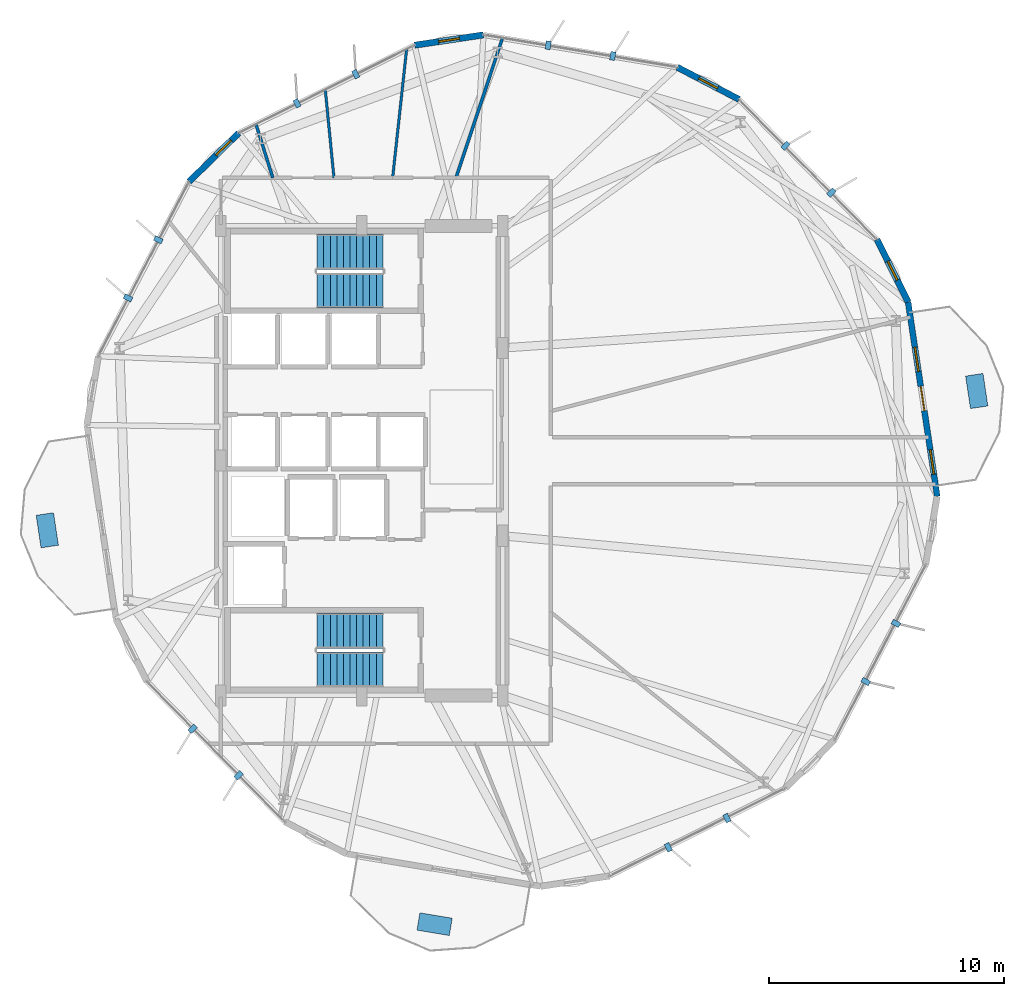
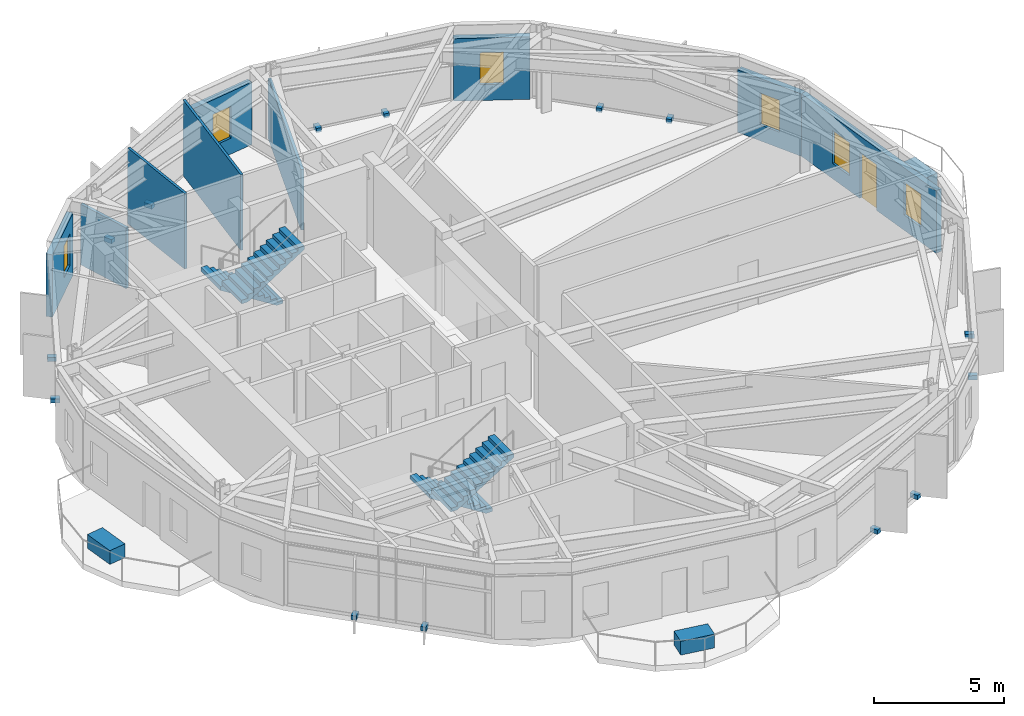
# One storey, part 19 of 22: 17 discrete accessories, 9 walls, 6 windows, 4 stair flights, 1 door, 7 openings, 2 elements without a shape of their own.
"""IFC4 building model written with IfcOpenShell, lengths in metres."""

from ifc_helpers import new_model, si_unit, direction, frame, frame_2d, origin, origin_2d, place, context, subcontext, project, spatial, polyline, rectangle, outline, extrude, material, layer, layer_set, type_object, element, fill, aggregate, save


model = new_model("IFC4")

# Units and contexts
model_context = context("Model", 3, precision=1e-05, world=origin(), true_north=direction((0.0, 1.0)))
body_context = subcontext(model_context, "Body", "Model", "MODEL_VIEW")
ifc_project = project(units=[si_unit("LENGTHUNIT", "METRE"), si_unit("AREAUNIT", "SQUARE_METRE"), si_unit("VOLUMEUNIT", "CUBIC_METRE"), si_unit("PLANEANGLEUNIT", "RADIAN"), si_unit("MASSUNIT", "GRAM", prefix="KILO")], contexts=[model_context])

# Site, building, storey
site_placement = place(None, origin())
site = spatial("IfcSite", under=ifc_project, at=site_placement, CompositionType="ELEMENT")
building_placement = place(site_placement, origin())
building = spatial("IfcBuilding", under=site, at=building_placement, Name="Soratama Intermodal Tower", CompositionType="ELEMENT")
storey_placement = place(building_placement, frame((0.0, 0.0, 130.300048828125)))
storey = spatial("IfcBuildingStorey", under=building, at=storey_placement, Name="L31", CompositionType="ELEMENT", Elevation=130.300048828125)

# Wall, openings, door, windows
ifc_material_1 = material(Name="Concrete f'c 42 MPa", Category="concrete")
ifc_layer_1 = layer(ifc_material_1, 0.25)
ifc_layer_set_1 = layer_set([ifc_layer_1], Name="Concrete f'c 42 MPa")
wall_type_1 = type_object("IfcWallType", Name="EW-BAL-250", PredefinedType="SOLIDWALL", material=ifc_layer_set_1)
wall_1_placement = place(storey_placement, frame((63.114990234375, 23.47900390625, 0.0), z_axis=(0.0, 0.0, 1.0), x_axis=(-0.148183669797, 0.988959857631, 0.0)))
wall_1 = element("IfcWall", 1, at=wall_1_placement, inside=storey, type_object=wall_type_1, Name="L31 Terrace Wall F10", PredefinedType="SOLIDWALL", context=body_context, shape_type="SweptSolid", body=[
    extrude(rectangle(XDim=8.376220703125, YDim=0.25, at=frame_2d((4.18798828125, 0.0))), origin(), (0.0, 0.0, 1.0), 2.93896484375),
])
opening_1_placement = place(wall_1_placement, frame((3.68798828125, 0.0, 0.0)))
opening_1 = element("IfcOpeningElement", 2, at=opening_1_placement, cuts=wall_1, Name="Opening ED-5", PredefinedType="OPENING", context=body_context, shape_type="SweptSolid", body=[
    extrude(rectangle(XDim=1.050048828125, YDim=2.14990234375, at=frame_2d((0.52490234375, 1.074951171875))), frame((0.0, 0.135009765625, 0.0), z_axis=(0.0, -1.0, 0.0), x_axis=(1.0, 0.0, 0.0)), (0.0, 0.0, 1.0), 0.27001953125),
])
opening_2_placement = place(wall_1_placement, frame((0.95947265625, 0.0, 0.719970703125)))
opening_2 = element("IfcOpeningElement", 3, at=opening_2_placement, cuts=wall_1, Name="Opening WN-5", PredefinedType="OPENING", context=body_context, shape_type="SweptSolid", body=[
    extrude(rectangle(XDim=1.050048828125, YDim=1.550048828125, at=frame_2d((0.52490234375, 0.77490234375))), frame((0.0, 0.135009765625, 0.0), z_axis=(0.0, -1.0, 0.0), x_axis=(1.0, 0.0, 0.0)), (0.0, 0.0, 1.0), 0.27001953125),
])
opening_3_placement = place(wall_1_placement, frame((5.378173828125, 0.0, 0.719970703125)))
opening_3 = element("IfcOpeningElement", 4, at=opening_3_placement, cuts=wall_1, Name="Opening WN-5", PredefinedType="OPENING", context=body_context, shape_type="SweptSolid", body=[
    extrude(rectangle(XDim=1.050048828125, YDim=1.550048828125, at=frame_2d((0.52490234375, 0.77490234375))), frame((0.0, 0.135009765625, 0.0), z_axis=(0.0, -1.0, 0.0), x_axis=(1.0, 0.0, 0.0)), (0.0, 0.0, 1.0), 0.27001953125),
])
ifc_material_2 = material(Name="Double-glazed aluminium door", Category="aluminium")
door_type = type_object("IfcDoorType", Name="DR-BAL-1050", OperationType="NOTDEFINED", PredefinedType="DOOR", material=ifc_material_2)
door_placement = place(opening_1_placement, origin())
door = element("IfcDoor", 5, at=door_placement, inside=storey, type_object=door_type, Name="L31 Balcony Door F10", OperationType="SINGLE_SWING_RIGHT", OverallHeight=2.14990234375, OverallWidth=1.050048828125, PredefinedType="DOOR", context=body_context, shape_type="SweptSolid", body=[
    extrude(rectangle(XDim=1.050048828125, YDim=2.14990234375, at=frame_2d((0.52490234375, 1.074951171875))), frame((0.0, 0.02490234375, 0.0), z_axis=(0.0, -1.0, 0.0), x_axis=(1.0, 0.0, 0.0)), (0.0, 0.0, 1.0), 0.050048828125),
])
fill(opening_1, door)
ifc_material_3 = material(Name="Double-glazed aluminium window", Category="aluminium")
window_type_1 = type_object("IfcWindowType", Name="WN-FAC-1050", PartitioningType="SINGLE_PANEL", PredefinedType="WINDOW", material=ifc_material_3)
window_1_placement = place(opening_2_placement, origin())
window_1 = element("IfcWindow", 6, at=window_1_placement, inside=storey, type_object=window_type_1, Name="L31 Window A F10", OverallHeight=1.550048828125, OverallWidth=1.050048828125, PartitioningType="SINGLE_PANEL", PredefinedType="WINDOW", context=body_context, shape_type="SweptSolid", body=[
    extrude(rectangle(XDim=1.050048828125, YDim=1.550048828125, at=frame_2d((0.52490234375, 0.77490234375))), frame((0.0, 0.030029296875, 0.0), z_axis=(0.0, -1.0, 0.0), x_axis=(1.0, 0.0, 0.0)), (0.0, 0.0, 1.0), 0.06005859375),
])
fill(opening_2, window_1)
window_2_placement = place(opening_3_placement, origin())
window_2 = element("IfcWindow", 7, at=window_2_placement, inside=storey, type_object=window_type_1, Name="L31 Window B F10", OverallHeight=1.550048828125, OverallWidth=1.050048828125, PartitioningType="SINGLE_PANEL", PredefinedType="WINDOW", context=body_context, shape_type="SweptSolid", body=[
    extrude(rectangle(XDim=1.050048828125, YDim=1.550048828125, at=frame_2d((0.52490234375, 0.77490234375))), frame((0.0, 0.030029296875, 0.0), z_axis=(0.0, -1.0, 0.0), x_axis=(1.0, 0.0, 0.0)), (0.0, 0.0, 1.0), 0.06005859375),
])
fill(opening_3, window_2)

# Wall, opening, window
ifc_material_4 = material(Name="Concrete f'c 42 MPa", Category="concrete")
ifc_layer_2 = layer(ifc_material_4, 0.27001953125)
ifc_layer_set_2 = layer_set([ifc_layer_2], Name="Concrete f'c 42 MPa")
wall_type_2 = type_object("IfcWallType", Name="EW-CRN-270", PredefinedType="SOLIDWALL", material=ifc_layer_set_2)
wall_2_placement = place(storey_placement, frame((54.67626953125, 40.389404296875, 0.0), z_axis=(0.0, 0.0, 1.0), x_axis=(-0.887169636056, 0.461443427585, 0.0)))
wall_2 = element("IfcWall", 8, at=wall_2_placement, inside=storey, type_object=wall_type_2, Name="L31 Corner Closure Wall 01", PredefinedType="SOLIDWALL", context=body_context, shape_type="SweptSolid", body=[
    extrude(rectangle(XDim=2.966552734375, YDim=0.27001953125, at=frame_2d((1.4833984375, 0.0))), origin(), (0.0, 0.0, 1.0), 2.93896484375),
])
opening_4_placement = place(wall_2_placement, frame((1.033203125, 0.0, 0.75)))
opening_4 = element("IfcOpeningElement", 9, at=opening_4_placement, cuts=wall_2, Name="Opening WN-6", PredefinedType="OPENING", context=body_context, shape_type="SweptSolid", body=[
    extrude(rectangle(XDim=0.89990234375, YDim=1.5, at=frame_2d((0.449951171875, 0.75))), frame((0.0, 0.14501953125, 0.0), z_axis=(0.0, -1.0, 0.0), x_axis=(1.0, 0.0, 0.0)), (0.0, 0.0, 1.0), 0.2900390625),
])
ifc_material_5 = material(Name="Double-glazed aluminium window", Category="aluminium")
window_type_2 = type_object("IfcWindowType", Name="WN-FAC-900", PartitioningType="SINGLE_PANEL", PredefinedType="WINDOW", material=ifc_material_5)
window_3_placement = place(opening_4_placement, origin())
window_3 = element("IfcWindow", 10, at=window_3_placement, inside=storey, type_object=window_type_2, Name="L31 Corner Window 01", OverallHeight=1.5, OverallWidth=0.89990234375, PartitioningType="SINGLE_PANEL", PredefinedType="WINDOW", context=body_context, shape_type="SweptSolid", body=[
    extrude(rectangle(XDim=0.89990234375, YDim=1.5, at=frame_2d((0.449951171875, 0.75))), frame((0.0, 0.030029296875, 0.0), z_axis=(0.0, -1.0, 0.0), x_axis=(1.0, 0.0, 0.0)), (0.0, 0.0, 1.0), 0.06005859375),
])
fill(opening_4, window_3)

wall_3_placement = place(storey_placement, frame((43.78271484375, 43.137939453125, 0.0), z_axis=(0.0, 0.0, 1.0), x_axis=(-0.988967117617, -0.148135209429, 0.0)))
wall_3 = element("IfcWall", 11, at=wall_3_placement, inside=storey, type_object=wall_type_2, Name="L31 Corner Closure Wall 02", PredefinedType="SOLIDWALL", context=body_context, shape_type="SweptSolid", body=[
    extrude(rectangle(XDim=2.966552734375, YDim=0.27001953125, at=frame_2d((1.4833984375, 0.0))), origin(), (0.0, 0.0, 1.0), 2.93896484375),
])
opening_5_placement = place(wall_3_placement, frame((1.033203125, 0.0, 0.75)))
opening_5 = element("IfcOpeningElement", 12, at=opening_5_placement, cuts=wall_3, Name="Opening WN-6", PredefinedType="OPENING", context=body_context, shape_type="SweptSolid", body=[
    extrude(rectangle(XDim=0.89990234375, YDim=1.5, at=frame_2d((0.449951171875, 0.75))), frame((0.0, 0.14501953125, 0.0), z_axis=(0.0, -1.0, 0.0), x_axis=(1.0, 0.0, 0.0)), (0.0, 0.0, 1.0), 0.2900390625),
])
window_4_placement = place(opening_5_placement, origin())
window_4 = element("IfcWindow", 13, at=window_4_placement, inside=storey, type_object=window_type_2, Name="L31 Corner Window 02", OverallHeight=1.5, OverallWidth=0.89990234375, PartitioningType="SINGLE_PANEL", PredefinedType="WINDOW", context=body_context, shape_type="SweptSolid", body=[
    extrude(rectangle(XDim=0.89990234375, YDim=1.5, at=frame_2d((0.449951171875, 0.75))), frame((0.0, 0.030029296875, 0.0), z_axis=(0.0, -1.0, 0.0), x_axis=(1.0, 0.0, 0.0)), (0.0, 0.0, 1.0), 0.06005859375),
])
fill(opening_5, window_4)

wall_4_placement = place(storey_placement, frame((33.35400390625, 38.958251953125, 0.0), z_axis=(0.0, 0.0, 1.0), x_axis=(-0.713048365922, -0.701114846409, 0.0)))
wall_4 = element("IfcWall", 14, at=wall_4_placement, inside=storey, type_object=wall_type_2, Name="L31 Corner Closure Wall 03", PredefinedType="SOLIDWALL", context=body_context, shape_type="SweptSolid", body=[
    extrude(rectangle(XDim=2.966552734375, YDim=0.27001953125, at=frame_2d((1.4833984375, 0.0))), origin(), (0.0, 0.0, 1.0), 2.93896484375),
])
opening_6_placement = place(wall_4_placement, frame((0.449951171875, 0.0, 0.75)))
opening_6 = element("IfcOpeningElement", 15, at=opening_6_placement, cuts=wall_4, Name="Opening WN-6", PredefinedType="OPENING", context=body_context, shape_type="SweptSolid", body=[
    extrude(rectangle(XDim=0.89990234375, YDim=1.5, at=frame_2d((0.449951171875, 0.75))), frame((0.0, 0.14501953125, 0.0), z_axis=(0.0, -1.0, 0.0), x_axis=(1.0, 0.0, 0.0)), (0.0, 0.0, 1.0), 0.2900390625),
])
window_5_placement = place(opening_6_placement, origin())
window_5 = element("IfcWindow", 16, at=window_5_placement, inside=storey, type_object=window_type_2, Name="L31 Corner Window 03", OverallHeight=1.5, OverallWidth=0.89990234375, PartitioningType="SINGLE_PANEL", PredefinedType="WINDOW", context=body_context, shape_type="SweptSolid", body=[
    extrude(rectangle(XDim=0.89990234375, YDim=1.5, at=frame_2d((0.449951171875, 0.75))), frame((0.0, 0.030029296875, 0.0), z_axis=(0.0, -1.0, 0.0), x_axis=(1.0, 0.0, 0.0)), (0.0, 0.0, 1.0), 0.06005859375),
])
fill(opening_6, window_5)

wall_5_placement = place(storey_placement, frame((61.873779296875, 31.7626953125, 0.0), z_axis=(0.0, 0.0, 1.0), x_axis=(-0.446489189921, 0.894789027248, 0.0)))
wall_5 = element("IfcWall", 17, at=wall_5_placement, inside=storey, type_object=wall_type_2, Name="L31 Corner Closure Wall 10", PredefinedType="SOLIDWALL", context=body_context, shape_type="SweptSolid", body=[
    extrude(rectangle(XDim=2.96630859375, YDim=0.27001953125, at=frame_2d((1.483154296875, 0.0))), origin(), (0.0, 0.0, 1.0), 2.93896484375),
])
opening_7_placement = place(wall_5_placement, frame((1.033203125, 0.0, 0.75)))
opening_7 = element("IfcOpeningElement", 18, at=opening_7_placement, cuts=wall_5, Name="Opening WN-6", PredefinedType="OPENING", context=body_context, shape_type="SweptSolid", body=[
    extrude(rectangle(XDim=0.89990234375, YDim=1.5, at=frame_2d((0.449951171875, 0.75))), frame((0.0, 0.14501953125, 0.0), z_axis=(0.0, -1.0, 0.0), x_axis=(1.0, 0.0, 0.0)), (0.0, 0.0, 1.0), 0.2900390625),
])
window_6_placement = place(opening_7_placement, origin())
window_6 = element("IfcWindow", 19, at=window_6_placement, inside=storey, type_object=window_type_2, Name="L31 Corner Window 10", OverallHeight=1.5, OverallWidth=0.89990234375, PartitioningType="SINGLE_PANEL", PredefinedType="WINDOW", context=body_context, shape_type="SweptSolid", body=[
    extrude(rectangle(XDim=0.89990234375, YDim=1.5, at=frame_2d((0.449951171875, 0.75))), frame((0.0, 0.030029296875, 0.0), z_axis=(0.0, -1.0, 0.0), x_axis=(1.0, 0.0, 0.0)), (0.0, 0.0, 1.0), 0.06005859375),
])
fill(opening_7, window_6)

# Walls
ifc_material_6 = material(Name="Fire-rated gypsum stud partition", Category="concrete")
ifc_layer_3 = layer(ifc_material_6, 0.110107421875)
ifc_layer_set_3 = layer_set([ifc_layer_3], Name="Fire-rated gypsum stud partition")
wall_type_3 = type_object("IfcWallType", Name="IW-PART-S110", PredefinedType="PARTITIONING", material=ifc_layer_set_3)
wall_6_placement = place(storey_placement, frame((39.9150390625, 37.050048828125, 0.0), z_axis=(0.0, 0.0, 1.0), x_axis=(0.108112469568, 0.994138669364, 0.0)))
element("IfcWall", 20, at=wall_6_placement, inside=storey, type_object=wall_type_3, Name="L31 Partition W-L31-TP011", PredefinedType="PARTITIONING", context=body_context, shape_type="SweptSolid", body=[
    extrude(rectangle(XDim=5.51220703125, YDim=0.110107421875, at=frame_2d((2.756103515625, 0.0))), origin(), (0.0, 0.0, 1.0), 3.56005859375),
])
wall_7_placement = place(storey_placement, frame((37.4150390625, 37.050048828125, 0.0), z_axis=(0.0, 0.0, 1.0), x_axis=(-0.097938751342, 0.995192444196, 0.0)))
element("IfcWall", 21, at=wall_7_placement, inside=storey, type_object=wall_type_3, Name="L31 Partition W-L31-TP016", PredefinedType="PARTITIONING", context=body_context, shape_type="SweptSolid", body=[
    extrude(rectangle(XDim=3.76904296875, YDim=0.110107421875, at=frame_2d((1.884521484375, 0.0))), origin(), (0.0, 0.0, 1.0), 3.56005859375),
])
ifc_material_7 = material(Name="Fire-rated gypsum stud partition", Category="concrete")
ifc_layer_4 = layer(ifc_material_7, 0.1298828125)
ifc_layer_set_4 = layer_set([ifc_layer_4], Name="Fire-rated gypsum stud partition")
wall_type_4 = type_object("IfcWallType", Name="IW-PART-S130", PredefinedType="PARTITIONING", material=ifc_layer_set_4)
wall_8_placement = place(storey_placement, frame((42.614013671875, 37.050048828125, 0.0), z_axis=(0.0, 0.0, 1.0), x_axis=(0.315935866472, 0.948780548007, 0.0)))
element("IfcWall", 22, at=wall_8_placement, inside=storey, type_object=wall_type_4, Name="L31 Partition W-L31-TP009", PredefinedType="PARTITIONING", context=body_context, shape_type="SweptSolid", body=[
    extrude(rectangle(XDim=6.273193359375, YDim=0.1298828125, at=frame_2d((3.13671875, 0.0))), origin(), (0.0, 0.0, 1.0), 2.85498046875),
])
wall_9_placement = place(storey_placement, frame((34.81005859375, 37.050048828125, 0.0), z_axis=(0.0, 0.0, 1.0), x_axis=(-0.300010116479, 0.953936019872, 0.0)))
element("IfcWall", 23, at=wall_9_placement, inside=storey, type_object=wall_type_4, Name="L31 Partition W-L31-TP024", PredefinedType="PARTITIONING", context=body_context, shape_type="SweptSolid", body=[
    extrude(rectangle(XDim=2.38671875, YDim=0.1298828125, at=frame_2d((1.193359375, 0.0))), origin(), (0.0, 0.0, 1.0), 2.85498046875),
])

# Stair, stair flights
ifc_material_8 = material(Name="Concrete f'c 42 MPa", Category="concrete")
stair_type = type_object("IfcStairType", Name="ST-CORE-DOGLEG", PredefinedType="HALF_TURN_STAIR", material=ifc_material_8)
stair_1_placement = place(storey_placement, origin())
stair_1 = element("IfcStair", 24, at=stair_1_placement, inside=storey, type_object=stair_type, Name="L31 ST-1", PredefinedType="HALF_TURN_STAIR")
ifc_material_9 = material(Name="Precast concrete f'c 40 MPa", Category="concrete")
ifc_layer_5 = layer(ifc_material_9, 0.199951171875)
ifc_layer_set_5 = layer_set([ifc_layer_5], Name="Precast concrete f'c 40 MPa")
stair_flight_type = type_object("IfcStairFlightType", Name="SF-FLIGHT-RC", PredefinedType="STRAIGHT", material=ifc_layer_set_5)
stair_flight_1_placement = place(storey_placement, frame((39.5, 17.75, 0.0), z_axis=(0.0, 0.0, 1.0), x_axis=(-1.0, 0.0, 0.0)))
stair_flight_1 = element("IfcStairFlight", 25, at=stair_flight_1_placement, type_object=stair_flight_type, Name="ST-1 flight 1", NumberOfRisers=11, NumberOfTreads=10, PredefinedType="STRAIGHT", RiserHeight=0.177272727, TreadLength=0.28, context=body_context, shape_type="SweptSolid", body=[
    extrude(outline(polyline([(0.0, 0.0), (0.0, 0.17724609375), (0.280029296875, 0.17724609375), (0.280029296875, 0.3544921875), (0.56005859375, 0.3544921875), (0.56005859375, 0.53173828125), (0.840087890625, 0.53173828125), (0.840087890625, 0.708984375), (1.1201171875, 0.708984375), (1.1201171875, 0.886474609375), (1.39990234375, 0.886474609375), (1.39990234375, 1.063720703125), (1.679931640625, 1.063720703125), (1.679931640625, 1.240966796875), (1.9599609375, 1.240966796875), (1.9599609375, 1.418212890625), (2.239990234375, 1.418212890625), (2.239990234375, 1.595458984375), (2.52001953125, 1.595458984375), (2.52001953125, 1.772705078125), (2.800048828125, 1.772705078125), (2.800048828125, 1.949951171875), (2.800048828125, 1.59521484375), (0.2802734375, 0.0), (0.0, 0.0)])), frame((0.0, 0.75, 0.0), z_axis=(0.0, -1.0, 0.0), x_axis=(1.0, 0.0, 0.0)), (0.0, 0.0, 1.0), 1.5),
])
stair_flight_2_placement = place(storey_placement, frame((36.699951171875, 16.10009765625, 1.949951171875), z_axis=(0.0, 0.0, 1.0), x_axis=(1.0, 0.0, 0.0)))
stair_flight_2 = element("IfcStairFlight", 26, at=stair_flight_2_placement, type_object=stair_flight_type, Name="ST-1 flight 2", NumberOfRisers=11, NumberOfTreads=10, PredefinedType="STRAIGHT", RiserHeight=0.177272727, TreadLength=0.28, context=body_context, shape_type="SweptSolid", body=[
    extrude(outline(polyline([(0.0, 0.0), (0.0, 0.17724609375), (0.280029296875, 0.17724609375), (0.280029296875, 0.3544921875), (0.56005859375, 0.3544921875), (0.56005859375, 0.53173828125), (0.840087890625, 0.53173828125), (0.840087890625, 0.708984375), (1.1201171875, 0.708984375), (1.1201171875, 0.886474609375), (1.39990234375, 0.886474609375), (1.39990234375, 1.063720703125), (1.679931640625, 1.063720703125), (1.679931640625, 1.240966796875), (1.9599609375, 1.240966796875), (1.9599609375, 1.418212890625), (2.239990234375, 1.418212890625), (2.239990234375, 1.595458984375), (2.52001953125, 1.595458984375), (2.52001953125, 1.772705078125), (2.800048828125, 1.772705078125), (2.800048828125, 1.949951171875), (2.800048828125, 1.59521484375), (0.2802734375, 0.0), (0.0, 0.0)])), frame((0.0, 0.75, 0.0), z_axis=(0.0, -1.0, 0.0), x_axis=(1.0, 0.0, 0.0)), (0.0, 0.0, 1.0), 1.5),
])
aggregate(stair_1, [stair_flight_1, stair_flight_2])

stair_2_placement = place(storey_placement, origin())
stair_2 = element("IfcStair", 27, at=stair_2_placement, inside=storey, type_object=stair_type, Name="L31 ST-2", PredefinedType="HALF_TURN_STAIR")
stair_flight_3_placement = place(storey_placement, frame((39.5, 33.89990234375, 0.0), z_axis=(0.0, 0.0, 1.0), x_axis=(-1.0, 0.0, 0.0)))
stair_flight_3 = element("IfcStairFlight", 28, at=stair_flight_3_placement, type_object=stair_flight_type, Name="ST-2 flight 1", NumberOfRisers=11, NumberOfTreads=10, PredefinedType="STRAIGHT", RiserHeight=0.177272727, TreadLength=0.28, context=body_context, shape_type="SweptSolid", body=[
    extrude(outline(polyline([(0.0, 0.0), (0.0, 0.17724609375), (0.280029296875, 0.17724609375), (0.280029296875, 0.3544921875), (0.56005859375, 0.3544921875), (0.56005859375, 0.53173828125), (0.840087890625, 0.53173828125), (0.840087890625, 0.708984375), (1.1201171875, 0.708984375), (1.1201171875, 0.886474609375), (1.39990234375, 0.886474609375), (1.39990234375, 1.063720703125), (1.679931640625, 1.063720703125), (1.679931640625, 1.240966796875), (1.9599609375, 1.240966796875), (1.9599609375, 1.418212890625), (2.239990234375, 1.418212890625), (2.239990234375, 1.595458984375), (2.52001953125, 1.595458984375), (2.52001953125, 1.772705078125), (2.800048828125, 1.772705078125), (2.800048828125, 1.949951171875), (2.800048828125, 1.59521484375), (0.2802734375, 0.0), (0.0, 0.0)])), frame((0.0, 0.75, 0.0), z_axis=(0.0, -1.0, 0.0), x_axis=(1.0, 0.0, 0.0)), (0.0, 0.0, 1.0), 1.5),
])
stair_flight_4_placement = place(storey_placement, frame((36.699951171875, 32.25, 1.949951171875), z_axis=(0.0, 0.0, 1.0), x_axis=(1.0, 0.0, 0.0)))
stair_flight_4 = element("IfcStairFlight", 29, at=stair_flight_4_placement, type_object=stair_flight_type, Name="ST-2 flight 2", NumberOfRisers=11, NumberOfTreads=10, PredefinedType="STRAIGHT", RiserHeight=0.177272727, TreadLength=0.28, context=body_context, shape_type="SweptSolid", body=[
    extrude(outline(polyline([(0.0, 0.0), (0.0, 0.17724609375), (0.280029296875, 0.17724609375), (0.280029296875, 0.3544921875), (0.56005859375, 0.3544921875), (0.56005859375, 0.53173828125), (0.840087890625, 0.53173828125), (0.840087890625, 0.708984375), (1.1201171875, 0.708984375), (1.1201171875, 0.886474609375), (1.39990234375, 0.886474609375), (1.39990234375, 1.063720703125), (1.679931640625, 1.063720703125), (1.679931640625, 1.240966796875), (1.9599609375, 1.240966796875), (1.9599609375, 1.418212890625), (2.239990234375, 1.418212890625), (2.239990234375, 1.595458984375), (2.52001953125, 1.595458984375), (2.52001953125, 1.772705078125), (2.800048828125, 1.772705078125), (2.800048828125, 1.949951171875), (2.800048828125, 1.59521484375), (0.2802734375, 0.0), (0.0, 0.0)])), frame((0.0, 0.75, 0.0), z_axis=(0.0, -1.0, 0.0), x_axis=(1.0, 0.0, 0.0)), (0.0, 0.0, 1.0), 1.5),
])
aggregate(stair_2, [stair_flight_3, stair_flight_4])

# Discrete accessories
ifc_material_10 = material(Name="Structural steel ASTM A992 Grade 50", Category="steel")
discrete_accessory_type_1 = type_object("IfcDiscreteAccessoryType", Name="AC-FIN-BRACKET", PredefinedType="BRACKET", material=ifc_material_10)
for number, where, z_axis, x_axis, name in (
    (30, (58.60595703125, 36.421875, -0.080078125), (0.0, 0.0, 1.0), (0.713005742217, 0.701158192968, 0.0), "L31 Fin Bracket F01-1"),
    (31, (56.648193359375, 38.41259765625, -0.080078125), (0.0, 0.0, 1.0), (0.713005742217, 0.701158192968, 0.0), "L31 Fin Bracket F01-2"),
    (32, (49.293701171875, 42.23779296875, -0.080078125), (0.0, 0.0, 1.0), (0.16470331719, 0.986343153931, 0.0), "L31 Fin Bracket F02-1"),
    (33, (46.539794921875, 42.69775390625, -0.080078125), (0.0, 0.0, 1.0), (0.16470331719, 0.986343153931, 0.0), "L31 Fin Bracket F02-2"),
    (34, (38.341552734375, 41.469482421875, -0.080078125), (0.0, 0.0, 1.0), (-0.446510176944, 0.894778554664, 0.0), "L31 Fin Bracket F03-1"),
    (35, (35.84326171875, 40.222900390625, -0.080078125), (0.0, 0.0, 1.0), (-0.446510176944, 0.894778554664, 0.0), "L31 Fin Bracket F03-2"),
    (36, (29.9326171875, 34.410400390625, -0.080078125), (0.0, 0.0, 1.0), (-0.887171959808, 0.461438959919, 0.0), "L31 Fin Bracket F04-1"),
    (37, (28.644287109375, 31.933349609375, -0.080078125), (0.0, 0.0, 1.0), (-0.887171959808, 0.461438959919, 0.0), "L31 Fin Bracket F04-2"),
    (38, (31.39404296875, 13.578125, -0.080078125), (0.0, 0.0, 1.0), (-0.713005742217, -0.701158192968, 0.0), "L31 Fin Bracket F06-1"),
    (39, (33.351806640625, 11.58740234375, -0.080078125), (0.0, 0.0, 1.0), (-0.713005742217, -0.701158192968, 0.0), "L31 Fin Bracket F06-2"),
    (40, (51.658447265625, 8.530517578125, -0.080078125), (0.0, 0.0, 1.0), (0.446510176944, -0.894778554664, 0.0), "L31 Fin Bracket F08-1"),
    (41, (54.15673828125, 9.777099609375, -0.080078125), (0.0, 0.0, 1.0), (0.446510176944, -0.894778554664, 0.0), "L31 Fin Bracket F08-2"),
    (42, (60.0673828125, 15.589599609375, -0.080078125), (0.0, 0.0, 1.0), (0.887171959808, -0.461438959919, 0.0), "L31 Fin Bracket F09-1"),
    (43, (61.355712890625, 18.066650390625, -0.080078125), (0.0, 0.0, 1.0), (0.887171959808, -0.461438959919, 0.0), "L31 Fin Bracket F09-2"),
):
    element("IfcDiscreteAccessory", number, at=place(storey_placement, frame(where, z_axis=z_axis, x_axis=x_axis)), inside=storey, type_object=discrete_accessory_type_1, Name=name, PredefinedType="BRACKET", context=body_context, shape_type="SweptSolid", body=[
        extrude(rectangle(XDim=0.360107421875, YDim=0.219970703125, at=origin_2d()), origin(), (0.0, 0.0, 1.0), 0.199951171875),
    ])
ifc_material_11 = material(Name="Precast concrete f'c 40 MPa", Category="concrete")
discrete_accessory_type_2 = type_object("IfcDiscreteAccessoryType", Name="AC-PLANTER-TREE", PredefinedType="USERDEFINED", material=ifc_material_11)
for number, where, z_axis, x_axis, name in (
    (44, (64.798583984375, 27.966064453125, 0.0), (0.0, 0.0, 1.0), (0.988964207891, 0.148154633781, 0.0), "L31 Tree Planter 1"),
    (45, (25.201416015625, 22.033935546875, 0.0), (0.0, 0.0, 1.0), (-0.988964207891, -0.148154633781, 0.0), "L31 Tree Planter 2"),
    (46, (41.70263671875, 5.253662109375, 0.0), (0.0, 0.0, 1.0), (-0.16470331719, -0.986343153931, 0.0), "L31 Tree Planter 3"),
):
    element("IfcDiscreteAccessory", number, at=place(storey_placement, frame(where, z_axis=z_axis, x_axis=x_axis)), inside=storey, type_object=discrete_accessory_type_2, Name=name, ObjectType="PLANTER", PredefinedType="USERDEFINED", context=body_context, shape_type="SweptSolid", body=[
        extrude(rectangle(XDim=0.75, YDim=1.39990234375, at=origin_2d()), origin(), (0.0, 0.0, 1.0), 0.64990234375),
    ])

save(model, "model.ifc")
